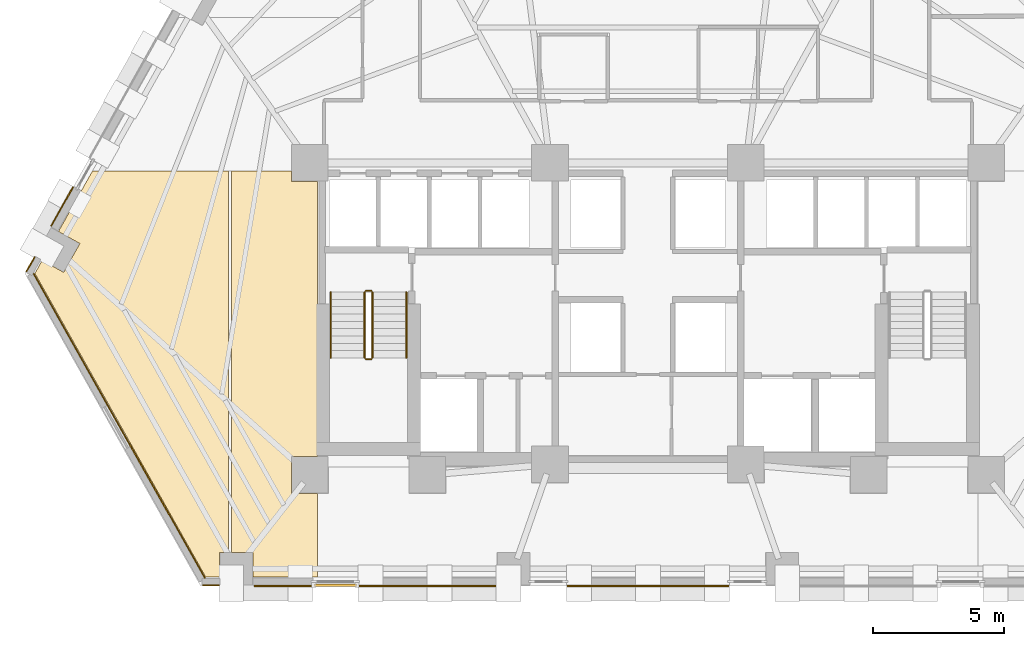
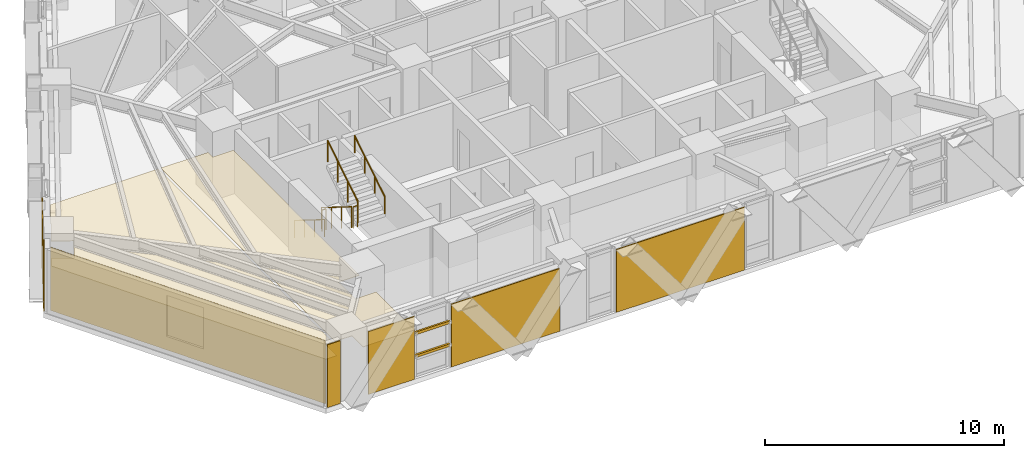
# One storey, part 10 of 13: 9 coverings, 6 railings, 2 shading devices.
"""IFC4 building model written with IfcOpenShell, lengths in metres."""

from ifc_helpers import new_model, si_unit, direction, frame, origin, origin_2d, place, context, subcontext, project, spatial, polyline, rectangle, circle, outline, extrude, material, layer, layer_set, material_profile, profile_set, type_object, element, save


model = new_model("IFC4")

# Units and contexts
model_context = context("Model", 3, precision=1e-05, world=origin(), true_north=direction((0.0, 1.0)))
body_context = subcontext(model_context, "Body", "Model", "MODEL_VIEW")
ifc_project = project(units=[si_unit("LENGTHUNIT", "METRE"), si_unit("AREAUNIT", "SQUARE_METRE"), si_unit("VOLUMEUNIT", "CUBIC_METRE"), si_unit("PLANEANGLEUNIT", "RADIAN"), si_unit("MASSUNIT", "GRAM", prefix="KILO")], contexts=[model_context])

# Site, building, storey
site_placement = place(None, origin())
site = spatial("IfcSite", under=ifc_project, at=site_placement, CompositionType="ELEMENT")
building_placement = place(site_placement, origin())
building = spatial("IfcBuilding", under=site, at=building_placement, Name="Quenlor Broadcast Tower", CompositionType="ELEMENT")
storey_placement = place(building_placement, frame((0.0, 0.0, 48.60009765625)))
storey = spatial("IfcBuildingStorey", under=building, at=storey_placement, Name="L12", CompositionType="ELEMENT", Elevation=48.60009765625)

# Coverings
ifc_material_1 = material(Name="Acoustic Mineral Fibre Board", Category="other")
ifc_layer_1 = layer(ifc_material_1, 0.02490234375)
ifc_layer_set_1 = layer_set([ifc_layer_1], Name="Acoustic Perforated Mineral Tile Ceiling 25")
covering_type_1 = type_object("IfcCoveringType", Name="Acoustic Perforated Mineral Tile Ceiling 25", PredefinedType="CEILING", material=ifc_layer_set_1)
covering_1_placement = place(storey_placement, frame((0.0, 0.0, 2.224853515625)))
element("IfcCovering", 1, at=covering_1_placement, inside=storey, type_object=covering_type_1, Name="L12 Acoustic Ceiling L12-38-3", PredefinedType="CEILING", context=body_context, shape_type="SweptSolid", body=[
    extrude(outline(polyline([(-13.657958984375, -5.508056640625), (-12.64990234375, -5.508056640625), (-12.64990234375, -16.0419921875), (-13.657958984375, -16.0419921875), (-13.657958984375, -17.4580078125), (-12.64990234375, -17.4580078125), (-12.64990234375, -20.659912109375), (-15.132080078125, -20.659912109375), (-15.132080078125, -19.717041015625), (-15.93994140625, -19.717041015625), (-15.93994140625, -5.1201171875), (-13.657958984375, -5.1201171875), (-13.657958984375, -5.508056640625)])), origin(), (0.0, 0.0, 1.0), 0.025146484375),
])
covering_2_placement = place(storey_placement, frame((0.0, 0.0, 2.224853515625)))
element("IfcCovering", 2, at=covering_2_placement, inside=storey, type_object=covering_type_1, Name="L12 Acoustic Ceiling L12-38-4", PredefinedType="CEILING", context=body_context, shape_type="SweptSolid", body=[
    extrude(outline(polyline([(-16.06005859375, -19.717041015625), (-16.398193359375, -19.717041015625), (-16.398193359375, -20.659912109375), (-16.937255859375, -20.659912109375), (-23.477783203125, -9.031982421875), (-23.196533203125, -8.531982421875), (-22.374755859375, -8.994140625), (-21.754150390625, -7.890625), (-22.575927734375, -7.428466796875), (-21.27734375, -5.1201171875), (-16.06005859375, -5.1201171875), (-16.06005859375, -19.717041015625)])), origin(), (0.0, 0.0, 1.0), 0.025146484375),
])

# Shading devices
ifc_material_2 = material(Name="Architectural Terracotta Ceramic", Category="masonry")
ifc_material_profile = material_profile(ifc_material_2, rectangle(XDim=0.090087890625, YDim=0.139892578125, at=origin_2d()))
ifc_profile_set = profile_set([ifc_material_profile], Name="Architectural Terracotta Ceramic BAG90x140")
shading_device_type = type_object("IfcShadingDeviceType", Name="Copper Terracotta Baguette Solar Screen 140", PredefinedType="USERDEFINED", material=ifc_profile_set)
for number, where, z_axis, x_axis, name in (
    (3, (-11.146484375, -20.98291015625, 1.169921875), (-1.0, 0.0, 0.0), (0.0, -1.0, 0.0), "L12 Terracotta Baguette Screen 1"),
    (4, (-11.146484375, -20.98291015625, 2.33984375), (-1.0, 0.0, 0.0), (0.0, -1.0, 0.0), "L12 Terracotta Baguette Screen 2"),
):
    element("IfcShadingDevice", number, at=place(storey_placement, frame(where, z_axis=z_axis, x_axis=x_axis)), inside=storey, type_object=shading_device_type, Name=name, ObjectType="BAGUETTE", PredefinedType="USERDEFINED", context=body_context, shape_type="SweptSolid", body=[
        extrude(rectangle(XDim=0.090087890625, YDim=0.139892578125, at=origin_2d()), origin(), (0.0, 0.0, 1.0), 1.6484375),
    ])

# Coverings
ifc_material_3 = material(Name="Architectural Terracotta Ceramic", Category="masonry")
ifc_layer_2 = layer(ifc_material_3, 0.044921875)
ifc_layer_set_2 = layer_set([ifc_layer_2], Name="Fluted Terracotta Rainscreen Cladding Panel")
covering_type_2 = type_object("IfcCoveringType", Name="Fluted Terracotta Rainscreen Cladding Panel", PredefinedType="CLADDING", material=ifc_layer_set_2)
covering_3_placement = place(storey_placement, frame((0.0, 0.0, 0.02001953125)))
element("IfcCovering", 5, at=covering_3_placement, inside=storey, type_object=covering_type_2, Name="L12 Terracotta Rainscreen Cladding L12-SHD-SS1", PredefinedType="CLADDING", context=body_context, shape_type="SweptSolid", body=[
    extrude(outline(polyline([(-16.425048828125, -20.951904296875), (-17.0458984375, -20.951904296875), (-17.0458984375, -20.9970703125), (-16.425048828125, -20.9970703125), (-16.425048828125, -20.951904296875)])), origin(), (0.0, 0.0, 1.0), 3.2099609375),
])
covering_4_placement = place(storey_placement, frame((0.0, 0.0, 0.02001953125)))
element("IfcCovering", 6, at=covering_4_placement, inside=storey, type_object=covering_type_2, Name="L12 Terracotta Rainscreen Cladding L12-SC-SP1", PredefinedType="CLADDING", context=body_context, shape_type="SweptSolid", body=[
    extrude(outline(polyline([(-5.82080078125, -20.98193359375), (-11.07666015625, -20.98193359375), (-11.07666015625, -21.027099609375), (-5.82080078125, -21.027099609375), (-5.82080078125, -20.98193359375)])), origin(), (0.0, 0.0, 1.0), 3.2099609375),
])
covering_5_placement = place(storey_placement, frame((0.0, 0.0, 0.02001953125)))
element("IfcCovering", 7, at=covering_5_placement, inside=storey, type_object=covering_type_2, Name="L12 Terracotta Rainscreen Cladding L12-SC-SP2", PredefinedType="CLADDING", context=body_context, shape_type="SweptSolid", body=[
    extrude(outline(polyline([(-12.864990234375, -20.98193359375), (-15.085205078125, -20.98193359375), (-15.085205078125, -21.027099609375), (-12.864990234375, -21.027099609375), (-12.864990234375, -20.98193359375)])), origin(), (0.0, 0.0, 1.0), 3.2099609375),
])
covering_6_placement = place(storey_placement, frame((0.0, 0.0, 0.02001953125)))
element("IfcCovering", 8, at=covering_6_placement, inside=storey, type_object=covering_type_2, Name="L12 Terracotta Rainscreen Cladding L12-S-SP1", PredefinedType="CLADDING", context=body_context, shape_type="SweptSolid", body=[
    extrude(outline(polyline([(3.09619140625, -20.98193359375), (-3.09619140625, -20.98193359375), (-3.09619140625, -21.027099609375), (3.09619140625, -21.027099609375), (3.09619140625, -20.98193359375)])), origin(), (0.0, 0.0, 1.0), 3.2099609375),
])
covering_7_placement = place(storey_placement, frame((0.0, 0.0, 0.02001953125)))
element("IfcCovering", 9, at=covering_7_placement, inside=storey, type_object=covering_type_2, Name="L12 Terracotta Rainscreen Cladding L12-SHD-NWS0", PredefinedType="CLADDING", context=body_context, shape_type="SweptSolid", body=[
    extrude(outline(polyline([(-23.781982421875, -8.97705078125), (-23.464111328125, -8.412109375), (-23.50341796875, -8.39013671875), (-23.8212890625, -8.955078125), (-23.781982421875, -8.97705078125)])), origin(), (0.0, 0.0, 1.0), 3.2099609375),
])
covering_8_placement = place(storey_placement, frame((0.0, 0.0, 0.02001953125)))
element("IfcCovering", 10, at=covering_8_placement, inside=storey, type_object=covering_type_2, Name="L12 Terracotta Rainscreen Cladding L12-NWA-SP1", PredefinedType="CLADDING", context=body_context, shape_type="SweptSolid", body=[
    extrude(outline(polyline([(-22.83349609375, -7.2294921875), (-21.989013671875, -5.728271484375), (-22.0283203125, -5.706298828125), (-22.872802734375, -7.20751953125), (-22.83349609375, -7.2294921875)])), origin(), (0.0, 0.0, 1.0), 3.2099609375),
])
covering_9_placement = place(storey_placement, frame((0.0, 0.0, 0.02001953125)))
element("IfcCovering", 11, at=covering_9_placement, inside=storey, type_object=covering_type_2, Name="L12 Terracotta Rainscreen Cladding L12-CNR-04", PredefinedType="CLADDING", context=body_context, shape_type="SweptSolid", body=[
    extrude(outline(polyline([(-23.547607421875, -9.046875), (-16.98388671875, -20.71533203125), (-16.94482421875, -20.693359375), (-23.50830078125, -9.02490234375), (-23.547607421875, -9.046875)])), origin(), (0.0, 0.0, 1.0), 3.2099609375),
])

# Railings
ifc_material_4 = material(Name="Anodised Aluminium", Category="aluminium")
railing_type_1 = type_object("IfcRailingType", Name="Stainless Aluminium Wall Handrail 900", PredefinedType="HANDRAIL", material=ifc_material_4)
railing_1_placement = place(storey_placement, frame((-12.14990234375, -9.75, 0.1748046875)))
element("IfcRailing", 12, at=railing_1_placement, inside=storey, type_object=railing_type_1, Name="L12 ST-1 stair handrail 1", PredefinedType="HANDRAIL", context=body_context, shape_type="SweptSolid", body=[
    extrude(circle(Radius=0.02392578125, at=origin_2d()), frame((0.0, 0.0, 0.8759765625), z_axis=(0.0, -0.847970611238, 0.530043245855), x_axis=(1.0, 0.0, 0.0)), (0.0, 0.0, 1.0), 2.971923828125),
    extrude(circle(Radius=0.02099609375, at=origin_2d()), origin(), (0.0, 0.0, 1.0), 0.851806640625),
    extrude(circle(Radius=0.02099609375, at=origin_2d()), frame((0.0, -0.840087890625, 0.525146484375)), (0.0, 0.0, 1.0), 0.851806640625),
    extrude(circle(Radius=0.02099609375, at=origin_2d()), frame((0.0, -1.679931640625, 1.050048828125)), (0.0, 0.0, 1.0), 0.851806640625),
    extrude(circle(Radius=0.02099609375, at=origin_2d()), frame((0.0, -2.52001953125, 1.5751953125)), (0.0, 0.0, 1.0), 0.851806640625),
])
railing_2_placement = place(storey_placement, frame((-9.25, -12.27001953125, 1.9248046875)))
element("IfcRailing", 13, at=railing_2_placement, inside=storey, type_object=railing_type_1, Name="L12 ST-1 stair handrail 2", PredefinedType="HANDRAIL", context=body_context, shape_type="SweptSolid", body=[
    extrude(circle(Radius=0.02392578125, at=origin_2d()), frame((0.0, 0.0, 0.8759765625), z_axis=(0.0, 0.847970611238, 0.530043245855), x_axis=(-1.0, 0.0, 0.0)), (0.0, 0.0, 1.0), 2.971923828125),
    extrude(circle(Radius=0.02099609375, at=origin_2d()), origin(), (0.0, 0.0, 1.0), 0.851806640625),
    extrude(circle(Radius=0.02099609375, at=origin_2d()), frame((0.0, 0.840087890625, 0.525146484375)), (0.0, 0.0, 1.0), 0.851806640625),
    extrude(circle(Radius=0.02099609375, at=origin_2d()), frame((0.0, 1.679931640625, 1.050048828125)), (0.0, 0.0, 1.0), 0.851806640625),
    extrude(circle(Radius=0.02099609375, at=origin_2d()), frame((0.0, 2.52001953125, 1.5751953125)), (0.0, 0.0, 1.0), 0.851806640625),
])
ifc_material_5 = material(Name="Steel S355", Category="steel")
railing_type_2 = type_object("IfcRailingType", Name="Tubular Steel S355 Stair Guardrail 1100", PredefinedType="BALUSTRADE", material=ifc_material_5)
railing_3_placement = place(storey_placement, frame((-10.85009765625, -9.75, 0.1748046875)))
element("IfcRailing", 14, at=railing_3_placement, inside=storey, type_object=railing_type_2, Name="L12 ST-1 stair guard 1", PredefinedType="BALUSTRADE", context=body_context, shape_type="SweptSolid", body=[
    extrude(circle(Radius=0.02392578125, at=origin_2d()), frame((0.0, 0.0, 1.076171875), z_axis=(0.0, -0.847970611238, 0.530043245855), x_axis=(1.0, 0.0, 0.0)), (0.0, 0.0, 1.0), 2.971923828125),
    extrude(circle(Radius=0.02099609375, at=origin_2d()), origin(), (0.0, 0.0, 1.0), 1.052001953125),
    extrude(circle(Radius=0.02099609375, at=origin_2d()), frame((0.0, -0.840087890625, 0.525146484375)), (0.0, 0.0, 1.0), 1.052001953125),
    extrude(circle(Radius=0.02099609375, at=origin_2d()), frame((0.0, -1.679931640625, 1.050048828125)), (0.0, 0.0, 1.0), 1.052001953125),
    extrude(circle(Radius=0.02099609375, at=origin_2d()), frame((0.0, -2.52001953125, 1.5751953125)), (0.0, 0.0, 1.0), 1.052001953125),
])
railing_4_placement = place(storey_placement, frame((-10.800048828125, -12.320068359375, 1.75)))
element("IfcRailing", 15, at=railing_4_placement, inside=storey, type_object=railing_type_2, Name="L12 ST-1 stair guard 2", PredefinedType="BALUSTRADE", context=body_context, shape_type="SweptSolid", body=[
    extrude(circle(Radius=0.02392578125, at=origin_2d()), frame((0.0, 0.0, 1.076171875), z_axis=(1.0, 0.0, 0.0), x_axis=(0.0, 1.0, 0.0)), (0.0, 0.0, 1.0), 0.199951171875),
    extrude(circle(Radius=0.02099609375, at=origin_2d()), origin(), (0.0, 0.0, 1.0), 1.052001953125),
    extrude(circle(Radius=0.02099609375, at=origin_2d()), frame((0.199951171875, 0.0, 0.0)), (0.0, 0.0, 1.0), 1.052001953125),
])
railing_5_placement = place(storey_placement, frame((-10.550048828125, -12.27001953125, 1.9248046875)))
element("IfcRailing", 16, at=railing_5_placement, inside=storey, type_object=railing_type_2, Name="L12 ST-1 stair guard 3", PredefinedType="BALUSTRADE", context=body_context, shape_type="SweptSolid", body=[
    extrude(circle(Radius=0.02392578125, at=origin_2d()), frame((0.0, 0.0, 1.076171875), z_axis=(0.0, 0.847970611238, 0.530043245855), x_axis=(-1.0, 0.0, 0.0)), (0.0, 0.0, 1.0), 2.971923828125),
    extrude(circle(Radius=0.02099609375, at=origin_2d()), origin(), (0.0, 0.0, 1.0), 1.052001953125),
    extrude(circle(Radius=0.02099609375, at=origin_2d()), frame((0.0, 0.840087890625, 0.525146484375)), (0.0, 0.0, 1.0), 1.052001953125),
    extrude(circle(Radius=0.02099609375, at=origin_2d()), frame((0.0, 1.679931640625, 1.050048828125)), (0.0, 0.0, 1.0), 1.052001953125),
    extrude(circle(Radius=0.02099609375, at=origin_2d()), frame((0.0, 2.52001953125, 1.5751953125)), (0.0, 0.0, 1.0), 1.052001953125),
])
railing_6_placement = place(storey_placement, frame((-10.800048828125, -9.699951171875, 0.0)))
element("IfcRailing", 17, at=railing_6_placement, inside=storey, type_object=railing_type_2, Name="L12 ST-1 stair guard 4", PredefinedType="BALUSTRADE", context=body_context, shape_type="SweptSolid", body=[
    extrude(circle(Radius=0.02392578125, at=origin_2d()), frame((0.0, 0.0, 1.076171875), z_axis=(1.0, 0.0, 0.0), x_axis=(0.0, 1.0, 0.0)), (0.0, 0.0, 1.0), 0.199951171875),
    extrude(circle(Radius=0.02099609375, at=origin_2d()), origin(), (0.0, 0.0, 1.0), 1.052001953125),
    extrude(circle(Radius=0.02099609375, at=origin_2d()), frame((0.199951171875, 0.0, 0.0)), (0.0, 0.0, 1.0), 1.052001953125),
])

save(model, "model.ifc")
